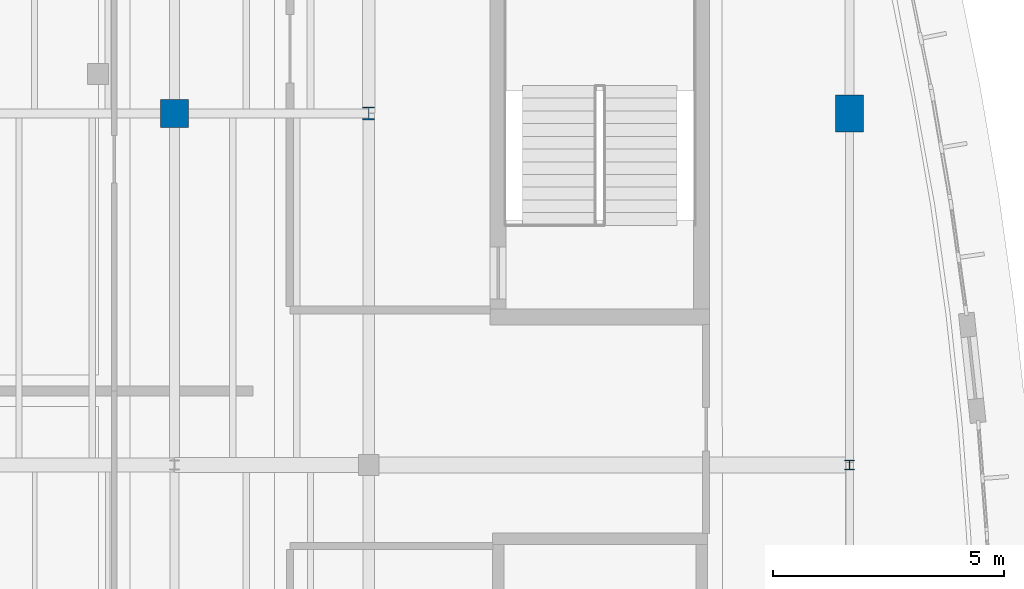
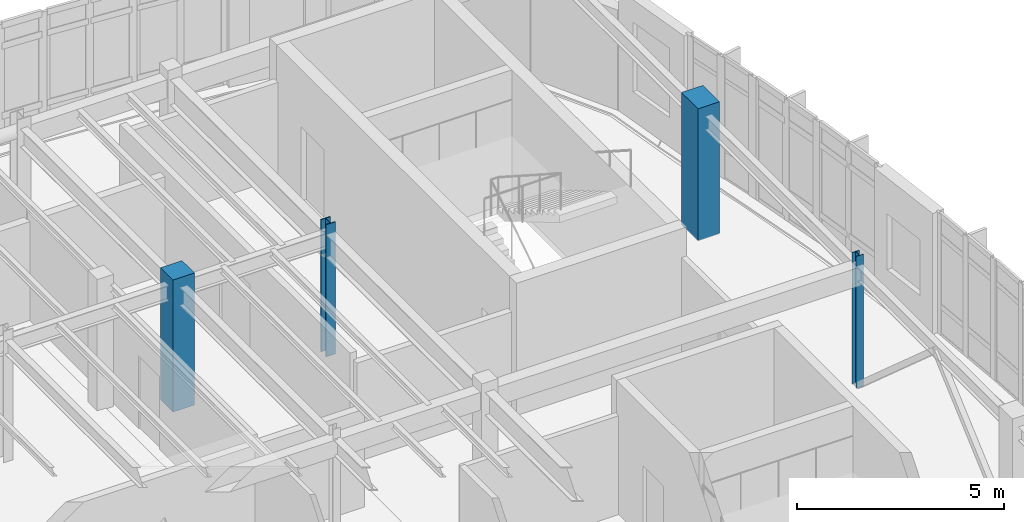
# One storey, part 15 of 111: 4 columns.
"""IFC4 building model written with IfcOpenShell, lengths in metres."""

from ifc_helpers import new_model, si_unit, direction, frame, origin, origin_2d, place, context, subcontext, project, spatial, rectangle, i_section, extrude, material, material_profile, profile_set, type_object, element, save


model = new_model("IFC4")

# Units and contexts
model_context = context("Model", 3, precision=1e-05, world=origin(), true_north=direction((0.0, 1.0)))
body_context = subcontext(model_context, "Body", "Model", "MODEL_VIEW")
ifc_project = project(units=[si_unit("LENGTHUNIT", "METRE"), si_unit("AREAUNIT", "SQUARE_METRE"), si_unit("VOLUMEUNIT", "CUBIC_METRE"), si_unit("PLANEANGLEUNIT", "RADIAN"), si_unit("MASSUNIT", "GRAM", prefix="KILO")], contexts=[model_context])

# Site, building, storey
site_placement = place(None, origin())
site = spatial("IfcSite", under=ifc_project, at=site_placement, CompositionType="ELEMENT")
building_placement = place(site_placement, origin())
building = spatial("IfcBuilding", under=site, at=building_placement, Name="Corveleigh Park Community Centre", CompositionType="ELEMENT")
storey_placement = place(building_placement, frame((0.0, 0.0, 4.800048828125)))
storey = spatial("IfcBuildingStorey", under=building, at=storey_placement, Name="L01", CompositionType="ELEMENT", Elevation=4.800048828125)

# Columns
ifc_material_1 = material(Name="Concrete C40/50", Category="concrete")
ifc_material_profile_1 = material_profile(ifc_material_1, rectangle(XDim=0.60009765625, YDim=0.60009765625, at=origin_2d()), Name="RC-600x600", Category="concrete")
ifc_profile_set_1 = profile_set([ifc_material_profile_1], Name="Concrete C40/50")
column_type_1 = type_object("IfcColumnType", Name="COL-RC-600x600", PredefinedType="COLUMN", material=ifc_profile_set_1)
column_1_placement = place(storey_placement, frame((153.800048828125, 96.60009765625, 0.0), z_axis=(0.0, 0.0, 1.0), x_axis=(1.0, 0.0, 0.0)))
element("IfcColumn", 1, at=column_1_placement, inside=storey, type_object=column_type_1, Name="Column V4-X5Y5 L01", PredefinedType="COLUMN", context=body_context, shape_type="SweptSolid", body=[
    extrude(rectangle(XDim=0.60009765625, YDim=0.60009765625, at=origin_2d()), origin(), (0.0, 0.0, 1.0), 3.89990234375),
])
ifc_material_profile_2 = material_profile(ifc_material_1, rectangle(XDim=0.60009765625, YDim=0.800048828125, at=origin_2d()), Name="RC-600x800", Category="concrete")
ifc_profile_set_2 = profile_set([ifc_material_profile_2], Name="Concrete C40/50")
column_type_2 = type_object("IfcColumnType", Name="COL-RC-600x800", PredefinedType="COLUMN", material=ifc_profile_set_2)
column_2_placement = place(storey_placement, frame((168.39990234375, 96.60009765625, 0.0), z_axis=(0.0, 0.0, 1.0), x_axis=(1.0, 0.0, 0.0)))
element("IfcColumn", 2, at=column_2_placement, inside=storey, type_object=column_type_2, Name="Column V4-X7Y5 L01", PredefinedType="COLUMN", context=body_context, shape_type="SweptSolid", body=[
    extrude(rectangle(XDim=0.60009765625, YDim=0.800048828125, at=origin_2d()), origin(), (0.0, 0.0, 1.0), 3.89990234375),
])
ifc_material_2 = material(Name="Steel S355", Category="steel")
ifc_material_profile_3 = material_profile(ifc_material_2, i_section(OverallWidth=0.204345703125, OverallDepth=0.206298828125, WebThickness=0.0078125, FlangeThickness=0.012451171875, at=origin_2d()), Name="UKC 203x203x52", Category="steel")
ifc_profile_set_3 = profile_set([ifc_material_profile_3], Name="Steel S355")
column_type_3 = type_object("IfcColumnType", Name="COL-STL-UKC203x52", PredefinedType="COLUMN", material=ifc_profile_set_3)
column_3_placement = place(storey_placement, frame((168.39990234375, 89.0, 0.0), z_axis=(0.0, 0.0, 1.0), x_axis=(1.0, 0.0, 0.0)))
element("IfcColumn", 3, at=column_3_placement, inside=storey, type_object=column_type_3, Name="Column V4-X7Y4 L01", PredefinedType="COLUMN", context=body_context, shape_type="SweptSolid", body=[
    extrude(i_section(OverallWidth=0.204345703125, OverallDepth=0.206298828125, WebThickness=0.0078125, FlangeThickness=0.012451171875, at=origin_2d()), origin(), (0.0, 0.0, 1.0), 3.89990234375),
])
ifc_material_profile_4 = material_profile(ifc_material_2, i_section(OverallWidth=0.26123046875, OverallDepth=0.2763671875, WebThickness=0.015380859375, FlangeThickness=0.025390625, at=origin_2d()), Name="UKC 254x254x132", Category="steel")
ifc_profile_set_4 = profile_set([ifc_material_profile_4], Name="Steel S355")
column_type_4 = type_object("IfcColumnType", Name="COL-STL-UKC254x132", PredefinedType="COLUMN", material=ifc_profile_set_4)
column_4_placement = place(storey_placement, frame((158.0, 96.60009765625, 0.0), z_axis=(0.0, 0.0, 1.0), x_axis=(1.0, 0.0, 0.0)))
element("IfcColumn", 4, at=column_4_placement, inside=storey, type_object=column_type_4, Name="Column V4-X6Y5 L01", PredefinedType="COLUMN", context=body_context, shape_type="SweptSolid", body=[
    extrude(i_section(OverallWidth=0.26123046875, OverallDepth=0.2763671875, WebThickness=0.015380859375, FlangeThickness=0.025390625, at=origin_2d()), origin(), (0.0, 0.0, 1.0), 3.89990234375),
])

save(model, "model.ifc")
